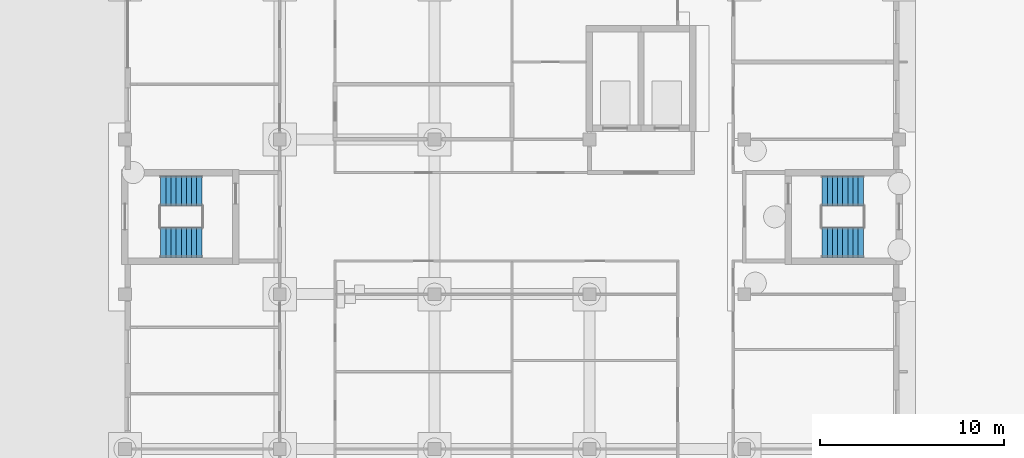
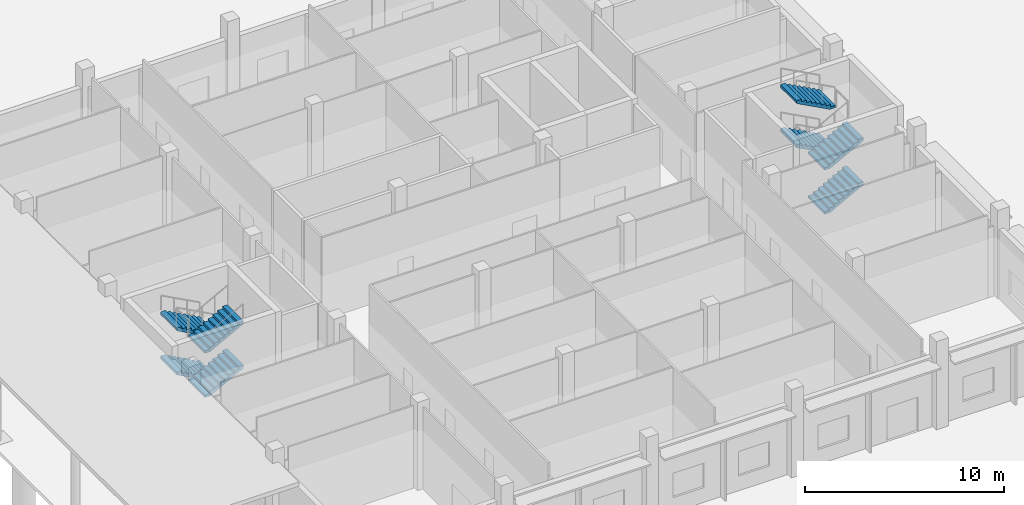
# One storey, part 94 of 146: 8 stair flights, 2 elements without a shape of their own.
"""IFC4 building model written with IfcOpenShell, lengths in metres."""

from ifc_helpers import new_model, si_unit, direction, frame, origin, place, context, subcontext, project, spatial, polyline, outline, extrude, material, type_object, element, aggregate, save


model = new_model("IFC4")

# Units and contexts
model_context = context("Model", 3, precision=1e-05, world=origin(), true_north=direction((0.0, 1.0)))
body_context = subcontext(model_context, "Body", "Model", "MODEL_VIEW")
ifc_project = project(units=[si_unit("LENGTHUNIT", "METRE"), si_unit("AREAUNIT", "SQUARE_METRE"), si_unit("VOLUMEUNIT", "CUBIC_METRE"), si_unit("PLANEANGLEUNIT", "RADIAN"), si_unit("MASSUNIT", "GRAM", prefix="KILO")], contexts=[model_context])

# Site, building, storey
site_placement = place(None, origin())
site = spatial("IfcSite", under=ifc_project, at=site_placement, CompositionType="ELEMENT")
building_placement = place(site_placement, origin())
building = spatial("IfcBuilding", under=site, at=building_placement, Name="Bougainvillea Quay General Hospital", CompositionType="ELEMENT")
storey_placement = place(building_placement, origin())
storey = spatial("IfcBuildingStorey", under=building, at=storey_placement, Name="L00", CompositionType="ELEMENT", Elevation=0.0)

# Stair, stair flights
ifc_material = material(Name="Concrete C35", Category="concrete")
stair_type = type_object("IfcStairType", Name="Stair half-turn 1650 wide", PredefinedType="HALF_TURN_STAIR", material=ifc_material)
stair_1_placement = place(storey_placement, origin())
stair_1 = element("IfcStair", 1, at=stair_1_placement, inside=storey, type_object=stair_type, Name="L00 stair ST-U1", PredefinedType="HALF_TURN_STAIR")
stair_flight_type = type_object("IfcStairFlightType", Name="Stair flight 1650", PredefinedType="STRAIGHT", material=ifc_material)
stair_flight_1_placement = place(storey_placement, frame((12.574951171875, 56.0, 0.0), z_axis=(0.0, 0.0, 1.0), x_axis=(-1.0, 0.0, 0.0)))
stair_flight_1 = element("IfcStairFlight", 2, at=stair_flight_1_placement, type_object=stair_flight_type, Name="ST-U1 flight 1", NumberOfRisers=9, NumberOfTreads=8, PredefinedType="STRAIGHT", RiserHeight=0.15, TreadLength=0.28, context=body_context, shape_type="SweptSolid", body=[
    extrude(outline(polyline([(-0.0029296875, 0.0), (-0.0029296875, 0.003662109375), (-0.0029296875, 0.00732421875), (-0.0029296875, 0.010986328125), (-0.0029296875, 0.0146484375), (-0.0029296875, 0.018310546875), (-0.0029296875, 0.02197265625), (-0.0029296875, 0.025634765625), (-0.0029296875, 0.029296875), (-0.0029296875, 0.032958984375), (-0.0029296875, 0.03662109375), (-0.0029296875, 0.040283203125), (-0.0029296875, 0.0439453125), (-0.0029296875, 0.047607421875), (-0.0029296875, 0.05126953125), (-0.0029296875, 0.054931640625), (-0.0029296875, 0.05859375), (-0.0029296875, 0.062255859375), (-0.0029296875, 0.06591796875), (-0.0029296875, 0.069580078125), (-0.0029296875, 0.0732421875), (-0.0029296875, 0.076904296875), (-0.0029296875, 0.08056640625), (-0.0029296875, 0.084228515625), (-0.0029296875, 0.087890625), (-0.0029296875, 0.091552734375), (-0.0029296875, 0.09521484375), (-0.0029296875, 0.098876953125), (-0.0029296875, 0.1025390625), (-0.0029296875, 0.106201171875), (-0.0029296875, 0.10986328125), (-0.0029296875, 0.113525390625), (-0.0029296875, 0.1171875), (-0.0029296875, 0.120849609375), (-0.0029296875, 0.12451171875), (-0.0029296875, 0.1279296875), (-0.0029296875, 0.131591796875), (-0.0029296875, 0.13525390625), (-0.0029296875, 0.138916015625), (-0.0029296875, 0.142578125), (-0.0029296875, 0.146240234375), (-0.0029296875, 0.14990234375), (0.280029296875, 0.14990234375), (0.280029296875, 0.300048828125), (0.56005859375, 0.300048828125), (0.56005859375, 0.449951171875), (0.840087890625, 0.449951171875), (0.840087890625, 0.60009765625), (1.1201171875, 0.60009765625), (1.1201171875, 0.75), (1.39990234375, 0.75), (1.39990234375, 0.89990234375), (1.679931640625, 0.89990234375), (1.679931640625, 1.050048828125), (1.9599609375, 1.050048828125), (1.9599609375, 1.199951171875), (2.242919921875, 1.199951171875), (2.242919921875, 1.19580078125), (2.242919921875, 1.191650390625), (2.242919921875, 1.1875), (2.242919921875, 1.183349609375), (2.242919921875, 1.17919921875), (2.242919921875, 1.175048828125), (2.242919921875, 1.1708984375), (2.242919921875, 1.166748046875), (2.242919921875, 1.16259765625), (2.242919921875, 1.158447265625), (2.242919921875, 1.154296875), (2.242919921875, 1.150146484375), (2.242919921875, 1.14599609375), (2.242919921875, 1.141845703125), (2.242919921875, 1.1376953125), (2.242919921875, 1.133544921875), (2.242919921875, 1.12939453125), (2.242919921875, 1.125244140625), (2.242919921875, 1.12109375), (2.242919921875, 1.116943359375), (2.242919921875, 1.11279296875), (2.242919921875, 1.108642578125), (2.242919921875, 1.1044921875), (2.242919921875, 1.100341796875), (2.242919921875, 1.09619140625), (2.242919921875, 1.092041015625), (2.242919921875, 1.087890625), (2.242919921875, 1.083984375), (2.242919921875, 1.079833984375), (2.242919921875, 1.07568359375), (2.242919921875, 1.071533203125), (2.242919921875, 1.0673828125), (2.242919921875, 1.063232421875), (2.242919921875, 1.05908203125), (2.242919921875, 1.054931640625), (2.242919921875, 1.05078125), (2.242919921875, 1.046630859375), (2.242919921875, 1.04248046875), (2.242919921875, 1.038330078125), (2.242919921875, 1.0341796875), (2.242919921875, 1.030029296875), (0.3173828125, 0.0), (-0.0029296875, 0.0)])), frame((0.0, 0.824951171875, 0.0), z_axis=(0.0, -1.0, 0.0), x_axis=(1.0, 0.0, 0.0)), (0.0, 0.0, 1.0), 1.64990234375),
])
stair_flight_2_placement = place(storey_placement, frame((10.3349609375, 53.199951171875, 1.35009765625), z_axis=(0.0, 0.0, 1.0), x_axis=(1.0, 0.0, 0.0)))
stair_flight_2 = element("IfcStairFlight", 3, at=stair_flight_2_placement, type_object=stair_flight_type, Name="ST-U1 flight 2", NumberOfRisers=9, NumberOfTreads=8, PredefinedType="STRAIGHT", RiserHeight=0.15, TreadLength=0.28, context=body_context, shape_type="SweptSolid", body=[
    extrude(outline(polyline([(-0.0029296875, 0.0), (-0.0029296875, 0.003662109375), (-0.0029296875, 0.00732421875), (-0.0029296875, 0.010986328125), (-0.0029296875, 0.0146484375), (-0.0029296875, 0.018310546875), (-0.0029296875, 0.02197265625), (-0.0029296875, 0.025634765625), (-0.0029296875, 0.029296875), (-0.0029296875, 0.032958984375), (-0.0029296875, 0.03662109375), (-0.0029296875, 0.040283203125), (-0.0029296875, 0.0439453125), (-0.0029296875, 0.047607421875), (-0.0029296875, 0.05126953125), (-0.0029296875, 0.054931640625), (-0.0029296875, 0.05859375), (-0.0029296875, 0.062255859375), (-0.0029296875, 0.06591796875), (-0.0029296875, 0.069580078125), (-0.0029296875, 0.0732421875), (-0.0029296875, 0.076904296875), (-0.0029296875, 0.08056640625), (-0.0029296875, 0.084228515625), (-0.0029296875, 0.087890625), (-0.0029296875, 0.091552734375), (-0.0029296875, 0.09521484375), (-0.0029296875, 0.098876953125), (-0.0029296875, 0.1025390625), (-0.0029296875, 0.106201171875), (-0.0029296875, 0.10986328125), (-0.0029296875, 0.113525390625), (-0.0029296875, 0.1171875), (-0.0029296875, 0.120849609375), (-0.0029296875, 0.12451171875), (-0.0029296875, 0.1279296875), (-0.0029296875, 0.131591796875), (-0.0029296875, 0.13525390625), (-0.0029296875, 0.138916015625), (-0.0029296875, 0.142578125), (-0.0029296875, 0.146240234375), (-0.0029296875, 0.14990234375), (0.280029296875, 0.14990234375), (0.280029296875, 0.300048828125), (0.56005859375, 0.300048828125), (0.56005859375, 0.449951171875), (0.840087890625, 0.449951171875), (0.840087890625, 0.60009765625), (1.1201171875, 0.60009765625), (1.1201171875, 0.75), (1.39990234375, 0.75), (1.39990234375, 0.89990234375), (1.679931640625, 0.89990234375), (1.679931640625, 1.050048828125), (1.9599609375, 1.050048828125), (1.9599609375, 1.199951171875), (2.242919921875, 1.199951171875), (2.242919921875, 1.19580078125), (2.242919921875, 1.191650390625), (2.242919921875, 1.1875), (2.242919921875, 1.183349609375), (2.242919921875, 1.17919921875), (2.242919921875, 1.175048828125), (2.242919921875, 1.1708984375), (2.242919921875, 1.166748046875), (2.242919921875, 1.16259765625), (2.242919921875, 1.158447265625), (2.242919921875, 1.154296875), (2.242919921875, 1.150146484375), (2.242919921875, 1.14599609375), (2.242919921875, 1.141845703125), (2.242919921875, 1.1376953125), (2.242919921875, 1.133544921875), (2.242919921875, 1.12939453125), (2.242919921875, 1.125244140625), (2.242919921875, 1.12109375), (2.242919921875, 1.116943359375), (2.242919921875, 1.11279296875), (2.242919921875, 1.108642578125), (2.242919921875, 1.1044921875), (2.242919921875, 1.100341796875), (2.242919921875, 1.09619140625), (2.242919921875, 1.092041015625), (2.242919921875, 1.087890625), (2.242919921875, 1.083984375), (2.242919921875, 1.079833984375), (2.242919921875, 1.07568359375), (2.242919921875, 1.071533203125), (2.242919921875, 1.0673828125), (2.242919921875, 1.063232421875), (2.242919921875, 1.05908203125), (2.242919921875, 1.054931640625), (2.242919921875, 1.05078125), (2.242919921875, 1.046630859375), (2.242919921875, 1.04248046875), (2.242919921875, 1.038330078125), (2.242919921875, 1.0341796875), (2.242919921875, 1.030029296875), (0.3173828125, 0.0), (-0.0029296875, 0.0)])), frame((0.0, 0.824951171875, 0.0), z_axis=(0.0, -1.0, 0.0), x_axis=(1.0, 0.0, 0.0)), (0.0, 0.0, 1.0), 1.64990234375),
])
stair_flight_3_placement = place(storey_placement, frame((12.574951171875, 56.0, 2.699951171875), z_axis=(0.0, 0.0, 1.0), x_axis=(-1.0, 0.0, 0.0)))
stair_flight_3 = element("IfcStairFlight", 4, at=stair_flight_3_placement, type_object=stair_flight_type, Name="ST-U1 flight 3", NumberOfRisers=9, NumberOfTreads=8, PredefinedType="STRAIGHT", RiserHeight=0.15, TreadLength=0.28, context=body_context, shape_type="SweptSolid", body=[
    extrude(outline(polyline([(-0.0029296875, 0.0), (-0.0029296875, 0.003662109375), (-0.0029296875, 0.00732421875), (-0.0029296875, 0.010986328125), (-0.0029296875, 0.0146484375), (-0.0029296875, 0.018310546875), (-0.0029296875, 0.02197265625), (-0.0029296875, 0.025634765625), (-0.0029296875, 0.029296875), (-0.0029296875, 0.032958984375), (-0.0029296875, 0.03662109375), (-0.0029296875, 0.040283203125), (-0.0029296875, 0.0439453125), (-0.0029296875, 0.047607421875), (-0.0029296875, 0.05126953125), (-0.0029296875, 0.054931640625), (-0.0029296875, 0.05859375), (-0.0029296875, 0.062255859375), (-0.0029296875, 0.06591796875), (-0.0029296875, 0.069580078125), (-0.0029296875, 0.0732421875), (-0.0029296875, 0.076904296875), (-0.0029296875, 0.08056640625), (-0.0029296875, 0.084228515625), (-0.0029296875, 0.087890625), (-0.0029296875, 0.091552734375), (-0.0029296875, 0.09521484375), (-0.0029296875, 0.098876953125), (-0.0029296875, 0.1025390625), (-0.0029296875, 0.106201171875), (-0.0029296875, 0.10986328125), (-0.0029296875, 0.113525390625), (-0.0029296875, 0.1171875), (-0.0029296875, 0.120849609375), (-0.0029296875, 0.12451171875), (-0.0029296875, 0.1279296875), (-0.0029296875, 0.131591796875), (-0.0029296875, 0.13525390625), (-0.0029296875, 0.138916015625), (-0.0029296875, 0.142578125), (-0.0029296875, 0.146240234375), (-0.0029296875, 0.14990234375), (0.280029296875, 0.14990234375), (0.280029296875, 0.300048828125), (0.56005859375, 0.300048828125), (0.56005859375, 0.449951171875), (0.840087890625, 0.449951171875), (0.840087890625, 0.60009765625), (1.1201171875, 0.60009765625), (1.1201171875, 0.75), (1.39990234375, 0.75), (1.39990234375, 0.89990234375), (1.679931640625, 0.89990234375), (1.679931640625, 1.050048828125), (1.9599609375, 1.050048828125), (1.9599609375, 1.199951171875), (2.242919921875, 1.199951171875), (2.242919921875, 1.19580078125), (2.242919921875, 1.191650390625), (2.242919921875, 1.1875), (2.242919921875, 1.183349609375), (2.242919921875, 1.17919921875), (2.242919921875, 1.175048828125), (2.242919921875, 1.1708984375), (2.242919921875, 1.166748046875), (2.242919921875, 1.16259765625), (2.242919921875, 1.158447265625), (2.242919921875, 1.154296875), (2.242919921875, 1.150146484375), (2.242919921875, 1.14599609375), (2.242919921875, 1.141845703125), (2.242919921875, 1.1376953125), (2.242919921875, 1.133544921875), (2.242919921875, 1.12939453125), (2.242919921875, 1.125244140625), (2.242919921875, 1.12109375), (2.242919921875, 1.116943359375), (2.242919921875, 1.11279296875), (2.242919921875, 1.108642578125), (2.242919921875, 1.1044921875), (2.242919921875, 1.100341796875), (2.242919921875, 1.09619140625), (2.242919921875, 1.092041015625), (2.242919921875, 1.087890625), (2.242919921875, 1.083984375), (2.242919921875, 1.079833984375), (2.242919921875, 1.07568359375), (2.242919921875, 1.071533203125), (2.242919921875, 1.0673828125), (2.242919921875, 1.063232421875), (2.242919921875, 1.05908203125), (2.242919921875, 1.054931640625), (2.242919921875, 1.05078125), (2.242919921875, 1.046630859375), (2.242919921875, 1.04248046875), (2.242919921875, 1.038330078125), (2.242919921875, 1.0341796875), (2.242919921875, 1.030029296875), (0.3173828125, 0.0), (-0.0029296875, 0.0)])), frame((0.0, 0.824951171875, 0.0), z_axis=(0.0, -1.0, 0.0), x_axis=(1.0, 0.0, 0.0)), (0.0, 0.0, 1.0), 1.64990234375),
])
stair_flight_4_placement = place(storey_placement, frame((10.3349609375, 53.199951171875, 4.050048828125), z_axis=(0.0, 0.0, 1.0), x_axis=(1.0, 0.0, 0.0)))
stair_flight_4 = element("IfcStairFlight", 5, at=stair_flight_4_placement, type_object=stair_flight_type, Name="ST-U1 flight 4", NumberOfRisers=9, NumberOfTreads=8, PredefinedType="STRAIGHT", RiserHeight=0.15, TreadLength=0.28, context=body_context, shape_type="SweptSolid", body=[
    extrude(outline(polyline([(-0.0029296875, 0.0), (-0.0029296875, 0.003662109375), (-0.0029296875, 0.00732421875), (-0.0029296875, 0.010986328125), (-0.0029296875, 0.0146484375), (-0.0029296875, 0.018310546875), (-0.0029296875, 0.02197265625), (-0.0029296875, 0.025634765625), (-0.0029296875, 0.029296875), (-0.0029296875, 0.032958984375), (-0.0029296875, 0.03662109375), (-0.0029296875, 0.040283203125), (-0.0029296875, 0.0439453125), (-0.0029296875, 0.047607421875), (-0.0029296875, 0.05126953125), (-0.0029296875, 0.054931640625), (-0.0029296875, 0.05859375), (-0.0029296875, 0.062255859375), (-0.0029296875, 0.06591796875), (-0.0029296875, 0.069580078125), (-0.0029296875, 0.0732421875), (-0.0029296875, 0.076904296875), (-0.0029296875, 0.08056640625), (-0.0029296875, 0.084228515625), (-0.0029296875, 0.087890625), (-0.0029296875, 0.091552734375), (-0.0029296875, 0.09521484375), (-0.0029296875, 0.098876953125), (-0.0029296875, 0.1025390625), (-0.0029296875, 0.106201171875), (-0.0029296875, 0.10986328125), (-0.0029296875, 0.113525390625), (-0.0029296875, 0.1171875), (-0.0029296875, 0.120849609375), (-0.0029296875, 0.12451171875), (-0.0029296875, 0.1279296875), (-0.0029296875, 0.131591796875), (-0.0029296875, 0.13525390625), (-0.0029296875, 0.138916015625), (-0.0029296875, 0.142578125), (-0.0029296875, 0.146240234375), (-0.0029296875, 0.14990234375), (0.280029296875, 0.14990234375), (0.280029296875, 0.300048828125), (0.56005859375, 0.300048828125), (0.56005859375, 0.449951171875), (0.840087890625, 0.449951171875), (0.840087890625, 0.60009765625), (1.1201171875, 0.60009765625), (1.1201171875, 0.75), (1.39990234375, 0.75), (1.39990234375, 0.89990234375), (1.679931640625, 0.89990234375), (1.679931640625, 1.050048828125), (1.9599609375, 1.050048828125), (1.9599609375, 1.199951171875), (2.242919921875, 1.199951171875), (2.242919921875, 1.19580078125), (2.242919921875, 1.191650390625), (2.242919921875, 1.1875), (2.242919921875, 1.183349609375), (2.242919921875, 1.17919921875), (2.242919921875, 1.175048828125), (2.242919921875, 1.1708984375), (2.242919921875, 1.166748046875), (2.242919921875, 1.16259765625), (2.242919921875, 1.158447265625), (2.242919921875, 1.154296875), (2.242919921875, 1.150146484375), (2.242919921875, 1.14599609375), (2.242919921875, 1.141845703125), (2.242919921875, 1.1376953125), (2.242919921875, 1.133544921875), (2.242919921875, 1.12939453125), (2.242919921875, 1.125244140625), (2.242919921875, 1.12109375), (2.242919921875, 1.116943359375), (2.242919921875, 1.11279296875), (2.242919921875, 1.108642578125), (2.242919921875, 1.1044921875), (2.242919921875, 1.100341796875), (2.242919921875, 1.09619140625), (2.242919921875, 1.092041015625), (2.242919921875, 1.087890625), (2.242919921875, 1.083984375), (2.242919921875, 1.079833984375), (2.242919921875, 1.07568359375), (2.242919921875, 1.071533203125), (2.242919921875, 1.0673828125), (2.242919921875, 1.063232421875), (2.242919921875, 1.05908203125), (2.242919921875, 1.054931640625), (2.242919921875, 1.05078125), (2.242919921875, 1.046630859375), (2.242919921875, 1.04248046875), (2.242919921875, 1.038330078125), (2.242919921875, 1.0341796875), (2.242919921875, 1.030029296875), (0.3173828125, 0.0), (-0.0029296875, 0.0)])), frame((0.0, 0.824951171875, 0.0), z_axis=(0.0, -1.0, 0.0), x_axis=(1.0, 0.0, 0.0)), (0.0, 0.0, 1.0), 1.64990234375),
])
aggregate(stair_1, [stair_flight_1, stair_flight_2, stair_flight_3, stair_flight_4])

stair_2_placement = place(storey_placement, origin())
stair_2 = element("IfcStair", 6, at=stair_2_placement, inside=storey, type_object=stair_type, Name="L00 stair ST-U2", PredefinedType="HALF_TURN_STAIR")
stair_flight_5_placement = place(storey_placement, frame((46.22509765625, 53.199951171875, 0.0), z_axis=(0.0, 0.0, 1.0), x_axis=(1.0, 0.0, 0.0)))
stair_flight_5 = element("IfcStairFlight", 7, at=stair_flight_5_placement, type_object=stair_flight_type, Name="ST-U2 flight 1", NumberOfRisers=9, NumberOfTreads=8, PredefinedType="STRAIGHT", RiserHeight=0.15, TreadLength=0.28, context=body_context, shape_type="SweptSolid", body=[
    extrude(outline(polyline([(-0.0029296875, 0.0), (-0.0029296875, 0.003662109375), (-0.0029296875, 0.00732421875), (-0.0029296875, 0.010986328125), (-0.0029296875, 0.0146484375), (-0.0029296875, 0.018310546875), (-0.0029296875, 0.02197265625), (-0.0029296875, 0.025634765625), (-0.0029296875, 0.029296875), (-0.0029296875, 0.032958984375), (-0.0029296875, 0.03662109375), (-0.0029296875, 0.040283203125), (-0.0029296875, 0.0439453125), (-0.0029296875, 0.047607421875), (-0.0029296875, 0.05126953125), (-0.0029296875, 0.054931640625), (-0.0029296875, 0.05859375), (-0.0029296875, 0.062255859375), (-0.0029296875, 0.06591796875), (-0.0029296875, 0.069580078125), (-0.0029296875, 0.0732421875), (-0.0029296875, 0.076904296875), (-0.0029296875, 0.08056640625), (-0.0029296875, 0.084228515625), (-0.0029296875, 0.087890625), (-0.0029296875, 0.091552734375), (-0.0029296875, 0.09521484375), (-0.0029296875, 0.098876953125), (-0.0029296875, 0.1025390625), (-0.0029296875, 0.106201171875), (-0.0029296875, 0.10986328125), (-0.0029296875, 0.113525390625), (-0.0029296875, 0.1171875), (-0.0029296875, 0.120849609375), (-0.0029296875, 0.12451171875), (-0.0029296875, 0.1279296875), (-0.0029296875, 0.131591796875), (-0.0029296875, 0.13525390625), (-0.0029296875, 0.138916015625), (-0.0029296875, 0.142578125), (-0.0029296875, 0.146240234375), (-0.0029296875, 0.14990234375), (0.280029296875, 0.14990234375), (0.280029296875, 0.300048828125), (0.56005859375, 0.300048828125), (0.56005859375, 0.449951171875), (0.840087890625, 0.449951171875), (0.840087890625, 0.60009765625), (1.1201171875, 0.60009765625), (1.1201171875, 0.75), (1.39990234375, 0.75), (1.39990234375, 0.89990234375), (1.679931640625, 0.89990234375), (1.679931640625, 1.050048828125), (1.9599609375, 1.050048828125), (1.9599609375, 1.199951171875), (2.242919921875, 1.199951171875), (2.242919921875, 1.19580078125), (2.242919921875, 1.191650390625), (2.242919921875, 1.1875), (2.242919921875, 1.183349609375), (2.242919921875, 1.17919921875), (2.242919921875, 1.175048828125), (2.242919921875, 1.1708984375), (2.242919921875, 1.166748046875), (2.242919921875, 1.16259765625), (2.242919921875, 1.158447265625), (2.242919921875, 1.154296875), (2.242919921875, 1.150146484375), (2.242919921875, 1.14599609375), (2.242919921875, 1.141845703125), (2.242919921875, 1.1376953125), (2.242919921875, 1.133544921875), (2.242919921875, 1.12939453125), (2.242919921875, 1.125244140625), (2.242919921875, 1.12109375), (2.242919921875, 1.116943359375), (2.242919921875, 1.11279296875), (2.242919921875, 1.108642578125), (2.242919921875, 1.1044921875), (2.242919921875, 1.100341796875), (2.242919921875, 1.09619140625), (2.242919921875, 1.092041015625), (2.242919921875, 1.087890625), (2.242919921875, 1.083984375), (2.242919921875, 1.079833984375), (2.242919921875, 1.07568359375), (2.242919921875, 1.071533203125), (2.242919921875, 1.0673828125), (2.242919921875, 1.063232421875), (2.242919921875, 1.05908203125), (2.242919921875, 1.054931640625), (2.242919921875, 1.05078125), (2.242919921875, 1.046630859375), (2.242919921875, 1.04248046875), (2.242919921875, 1.038330078125), (2.242919921875, 1.0341796875), (2.242919921875, 1.030029296875), (0.3173828125, 0.0), (-0.0029296875, 0.0)])), frame((0.0, 0.824951171875, 0.0), z_axis=(0.0, -1.0, 0.0), x_axis=(1.0, 0.0, 0.0)), (0.0, 0.0, 1.0), 1.64990234375),
])
stair_flight_6_placement = place(storey_placement, frame((48.465087890625, 56.0, 1.35009765625), z_axis=(0.0, 0.0, 1.0), x_axis=(-1.0, 0.0, 0.0)))
stair_flight_6 = element("IfcStairFlight", 8, at=stair_flight_6_placement, type_object=stair_flight_type, Name="ST-U2 flight 2", NumberOfRisers=9, NumberOfTreads=8, PredefinedType="STRAIGHT", RiserHeight=0.15, TreadLength=0.28, context=body_context, shape_type="SweptSolid", body=[
    extrude(outline(polyline([(-0.0029296875, 0.0), (-0.0029296875, 0.003662109375), (-0.0029296875, 0.00732421875), (-0.0029296875, 0.010986328125), (-0.0029296875, 0.0146484375), (-0.0029296875, 0.018310546875), (-0.0029296875, 0.02197265625), (-0.0029296875, 0.025634765625), (-0.0029296875, 0.029296875), (-0.0029296875, 0.032958984375), (-0.0029296875, 0.03662109375), (-0.0029296875, 0.040283203125), (-0.0029296875, 0.0439453125), (-0.0029296875, 0.047607421875), (-0.0029296875, 0.05126953125), (-0.0029296875, 0.054931640625), (-0.0029296875, 0.05859375), (-0.0029296875, 0.062255859375), (-0.0029296875, 0.06591796875), (-0.0029296875, 0.069580078125), (-0.0029296875, 0.0732421875), (-0.0029296875, 0.076904296875), (-0.0029296875, 0.08056640625), (-0.0029296875, 0.084228515625), (-0.0029296875, 0.087890625), (-0.0029296875, 0.091552734375), (-0.0029296875, 0.09521484375), (-0.0029296875, 0.098876953125), (-0.0029296875, 0.1025390625), (-0.0029296875, 0.106201171875), (-0.0029296875, 0.10986328125), (-0.0029296875, 0.113525390625), (-0.0029296875, 0.1171875), (-0.0029296875, 0.120849609375), (-0.0029296875, 0.12451171875), (-0.0029296875, 0.1279296875), (-0.0029296875, 0.131591796875), (-0.0029296875, 0.13525390625), (-0.0029296875, 0.138916015625), (-0.0029296875, 0.142578125), (-0.0029296875, 0.146240234375), (-0.0029296875, 0.14990234375), (0.280029296875, 0.14990234375), (0.280029296875, 0.300048828125), (0.56005859375, 0.300048828125), (0.56005859375, 0.449951171875), (0.840087890625, 0.449951171875), (0.840087890625, 0.60009765625), (1.1201171875, 0.60009765625), (1.1201171875, 0.75), (1.39990234375, 0.75), (1.39990234375, 0.89990234375), (1.679931640625, 0.89990234375), (1.679931640625, 1.050048828125), (1.9599609375, 1.050048828125), (1.9599609375, 1.199951171875), (2.242919921875, 1.199951171875), (2.242919921875, 1.19580078125), (2.242919921875, 1.191650390625), (2.242919921875, 1.1875), (2.242919921875, 1.183349609375), (2.242919921875, 1.17919921875), (2.242919921875, 1.175048828125), (2.242919921875, 1.1708984375), (2.242919921875, 1.166748046875), (2.242919921875, 1.16259765625), (2.242919921875, 1.158447265625), (2.242919921875, 1.154296875), (2.242919921875, 1.150146484375), (2.242919921875, 1.14599609375), (2.242919921875, 1.141845703125), (2.242919921875, 1.1376953125), (2.242919921875, 1.133544921875), (2.242919921875, 1.12939453125), (2.242919921875, 1.125244140625), (2.242919921875, 1.12109375), (2.242919921875, 1.116943359375), (2.242919921875, 1.11279296875), (2.242919921875, 1.108642578125), (2.242919921875, 1.1044921875), (2.242919921875, 1.100341796875), (2.242919921875, 1.09619140625), (2.242919921875, 1.092041015625), (2.242919921875, 1.087890625), (2.242919921875, 1.083984375), (2.242919921875, 1.079833984375), (2.242919921875, 1.07568359375), (2.242919921875, 1.071533203125), (2.242919921875, 1.0673828125), (2.242919921875, 1.063232421875), (2.242919921875, 1.05908203125), (2.242919921875, 1.054931640625), (2.242919921875, 1.05078125), (2.242919921875, 1.046630859375), (2.242919921875, 1.04248046875), (2.242919921875, 1.038330078125), (2.242919921875, 1.0341796875), (2.242919921875, 1.030029296875), (0.3173828125, 0.0), (-0.0029296875, 0.0)])), frame((0.0, 0.824951171875, 0.0), z_axis=(0.0, -1.0, 0.0), x_axis=(1.0, 0.0, 0.0)), (0.0, 0.0, 1.0), 1.64990234375),
])
stair_flight_7_placement = place(storey_placement, frame((46.22509765625, 53.199951171875, 2.699951171875), z_axis=(0.0, 0.0, 1.0), x_axis=(1.0, 0.0, 0.0)))
stair_flight_7 = element("IfcStairFlight", 9, at=stair_flight_7_placement, type_object=stair_flight_type, Name="ST-U2 flight 3", NumberOfRisers=9, NumberOfTreads=8, PredefinedType="STRAIGHT", RiserHeight=0.15, TreadLength=0.28, context=body_context, shape_type="SweptSolid", body=[
    extrude(outline(polyline([(-0.0029296875, 0.0), (-0.0029296875, 0.003662109375), (-0.0029296875, 0.00732421875), (-0.0029296875, 0.010986328125), (-0.0029296875, 0.0146484375), (-0.0029296875, 0.018310546875), (-0.0029296875, 0.02197265625), (-0.0029296875, 0.025634765625), (-0.0029296875, 0.029296875), (-0.0029296875, 0.032958984375), (-0.0029296875, 0.03662109375), (-0.0029296875, 0.040283203125), (-0.0029296875, 0.0439453125), (-0.0029296875, 0.047607421875), (-0.0029296875, 0.05126953125), (-0.0029296875, 0.054931640625), (-0.0029296875, 0.05859375), (-0.0029296875, 0.062255859375), (-0.0029296875, 0.06591796875), (-0.0029296875, 0.069580078125), (-0.0029296875, 0.0732421875), (-0.0029296875, 0.076904296875), (-0.0029296875, 0.08056640625), (-0.0029296875, 0.084228515625), (-0.0029296875, 0.087890625), (-0.0029296875, 0.091552734375), (-0.0029296875, 0.09521484375), (-0.0029296875, 0.098876953125), (-0.0029296875, 0.1025390625), (-0.0029296875, 0.106201171875), (-0.0029296875, 0.10986328125), (-0.0029296875, 0.113525390625), (-0.0029296875, 0.1171875), (-0.0029296875, 0.120849609375), (-0.0029296875, 0.12451171875), (-0.0029296875, 0.1279296875), (-0.0029296875, 0.131591796875), (-0.0029296875, 0.13525390625), (-0.0029296875, 0.138916015625), (-0.0029296875, 0.142578125), (-0.0029296875, 0.146240234375), (-0.0029296875, 0.14990234375), (0.280029296875, 0.14990234375), (0.280029296875, 0.300048828125), (0.56005859375, 0.300048828125), (0.56005859375, 0.449951171875), (0.840087890625, 0.449951171875), (0.840087890625, 0.60009765625), (1.1201171875, 0.60009765625), (1.1201171875, 0.75), (1.39990234375, 0.75), (1.39990234375, 0.89990234375), (1.679931640625, 0.89990234375), (1.679931640625, 1.050048828125), (1.9599609375, 1.050048828125), (1.9599609375, 1.199951171875), (2.242919921875, 1.199951171875), (2.242919921875, 1.19580078125), (2.242919921875, 1.191650390625), (2.242919921875, 1.1875), (2.242919921875, 1.183349609375), (2.242919921875, 1.17919921875), (2.242919921875, 1.175048828125), (2.242919921875, 1.1708984375), (2.242919921875, 1.166748046875), (2.242919921875, 1.16259765625), (2.242919921875, 1.158447265625), (2.242919921875, 1.154296875), (2.242919921875, 1.150146484375), (2.242919921875, 1.14599609375), (2.242919921875, 1.141845703125), (2.242919921875, 1.1376953125), (2.242919921875, 1.133544921875), (2.242919921875, 1.12939453125), (2.242919921875, 1.125244140625), (2.242919921875, 1.12109375), (2.242919921875, 1.116943359375), (2.242919921875, 1.11279296875), (2.242919921875, 1.108642578125), (2.242919921875, 1.1044921875), (2.242919921875, 1.100341796875), (2.242919921875, 1.09619140625), (2.242919921875, 1.092041015625), (2.242919921875, 1.087890625), (2.242919921875, 1.083984375), (2.242919921875, 1.079833984375), (2.242919921875, 1.07568359375), (2.242919921875, 1.071533203125), (2.242919921875, 1.0673828125), (2.242919921875, 1.063232421875), (2.242919921875, 1.05908203125), (2.242919921875, 1.054931640625), (2.242919921875, 1.05078125), (2.242919921875, 1.046630859375), (2.242919921875, 1.04248046875), (2.242919921875, 1.038330078125), (2.242919921875, 1.0341796875), (2.242919921875, 1.030029296875), (0.3173828125, 0.0), (-0.0029296875, 0.0)])), frame((0.0, 0.824951171875, 0.0), z_axis=(0.0, -1.0, 0.0), x_axis=(1.0, 0.0, 0.0)), (0.0, 0.0, 1.0), 1.64990234375),
])
stair_flight_8_placement = place(storey_placement, frame((48.465087890625, 56.0, 4.050048828125), z_axis=(0.0, 0.0, 1.0), x_axis=(-1.0, 0.0, 0.0)))
stair_flight_8 = element("IfcStairFlight", 10, at=stair_flight_8_placement, type_object=stair_flight_type, Name="ST-U2 flight 4", NumberOfRisers=9, NumberOfTreads=8, PredefinedType="STRAIGHT", RiserHeight=0.15, TreadLength=0.28, context=body_context, shape_type="SweptSolid", body=[
    extrude(outline(polyline([(-0.0029296875, 0.0), (-0.0029296875, 0.003662109375), (-0.0029296875, 0.00732421875), (-0.0029296875, 0.010986328125), (-0.0029296875, 0.0146484375), (-0.0029296875, 0.018310546875), (-0.0029296875, 0.02197265625), (-0.0029296875, 0.025634765625), (-0.0029296875, 0.029296875), (-0.0029296875, 0.032958984375), (-0.0029296875, 0.03662109375), (-0.0029296875, 0.040283203125), (-0.0029296875, 0.0439453125), (-0.0029296875, 0.047607421875), (-0.0029296875, 0.05126953125), (-0.0029296875, 0.054931640625), (-0.0029296875, 0.05859375), (-0.0029296875, 0.062255859375), (-0.0029296875, 0.06591796875), (-0.0029296875, 0.069580078125), (-0.0029296875, 0.0732421875), (-0.0029296875, 0.076904296875), (-0.0029296875, 0.08056640625), (-0.0029296875, 0.084228515625), (-0.0029296875, 0.087890625), (-0.0029296875, 0.091552734375), (-0.0029296875, 0.09521484375), (-0.0029296875, 0.098876953125), (-0.0029296875, 0.1025390625), (-0.0029296875, 0.106201171875), (-0.0029296875, 0.10986328125), (-0.0029296875, 0.113525390625), (-0.0029296875, 0.1171875), (-0.0029296875, 0.120849609375), (-0.0029296875, 0.12451171875), (-0.0029296875, 0.1279296875), (-0.0029296875, 0.131591796875), (-0.0029296875, 0.13525390625), (-0.0029296875, 0.138916015625), (-0.0029296875, 0.142578125), (-0.0029296875, 0.146240234375), (-0.0029296875, 0.14990234375), (0.280029296875, 0.14990234375), (0.280029296875, 0.300048828125), (0.56005859375, 0.300048828125), (0.56005859375, 0.449951171875), (0.840087890625, 0.449951171875), (0.840087890625, 0.60009765625), (1.1201171875, 0.60009765625), (1.1201171875, 0.75), (1.39990234375, 0.75), (1.39990234375, 0.89990234375), (1.679931640625, 0.89990234375), (1.679931640625, 1.050048828125), (1.9599609375, 1.050048828125), (1.9599609375, 1.199951171875), (2.242919921875, 1.199951171875), (2.242919921875, 1.19580078125), (2.242919921875, 1.191650390625), (2.242919921875, 1.1875), (2.242919921875, 1.183349609375), (2.242919921875, 1.17919921875), (2.242919921875, 1.175048828125), (2.242919921875, 1.1708984375), (2.242919921875, 1.166748046875), (2.242919921875, 1.16259765625), (2.242919921875, 1.158447265625), (2.242919921875, 1.154296875), (2.242919921875, 1.150146484375), (2.242919921875, 1.14599609375), (2.242919921875, 1.141845703125), (2.242919921875, 1.1376953125), (2.242919921875, 1.133544921875), (2.242919921875, 1.12939453125), (2.242919921875, 1.125244140625), (2.242919921875, 1.12109375), (2.242919921875, 1.116943359375), (2.242919921875, 1.11279296875), (2.242919921875, 1.108642578125), (2.242919921875, 1.1044921875), (2.242919921875, 1.100341796875), (2.242919921875, 1.09619140625), (2.242919921875, 1.092041015625), (2.242919921875, 1.087890625), (2.242919921875, 1.083984375), (2.242919921875, 1.079833984375), (2.242919921875, 1.07568359375), (2.242919921875, 1.071533203125), (2.242919921875, 1.0673828125), (2.242919921875, 1.063232421875), (2.242919921875, 1.05908203125), (2.242919921875, 1.054931640625), (2.242919921875, 1.05078125), (2.242919921875, 1.046630859375), (2.242919921875, 1.04248046875), (2.242919921875, 1.038330078125), (2.242919921875, 1.0341796875), (2.242919921875, 1.030029296875), (0.3173828125, 0.0), (-0.0029296875, 0.0)])), frame((0.0, 0.824951171875, 0.0), z_axis=(0.0, -1.0, 0.0), x_axis=(1.0, 0.0, 0.0)), (0.0, 0.0, 1.0), 1.64990234375),
])
aggregate(stair_2, [stair_flight_5, stair_flight_6, stair_flight_7, stair_flight_8])

save(model, "model.ifc")
